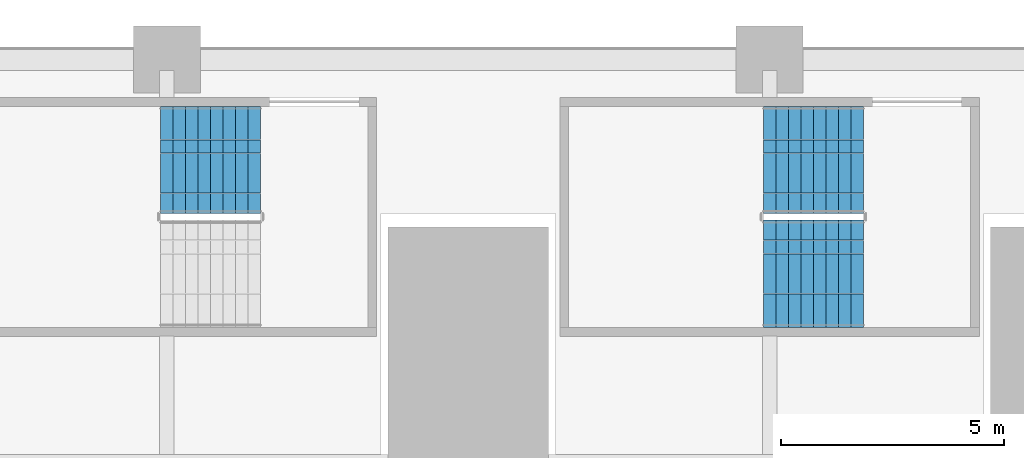
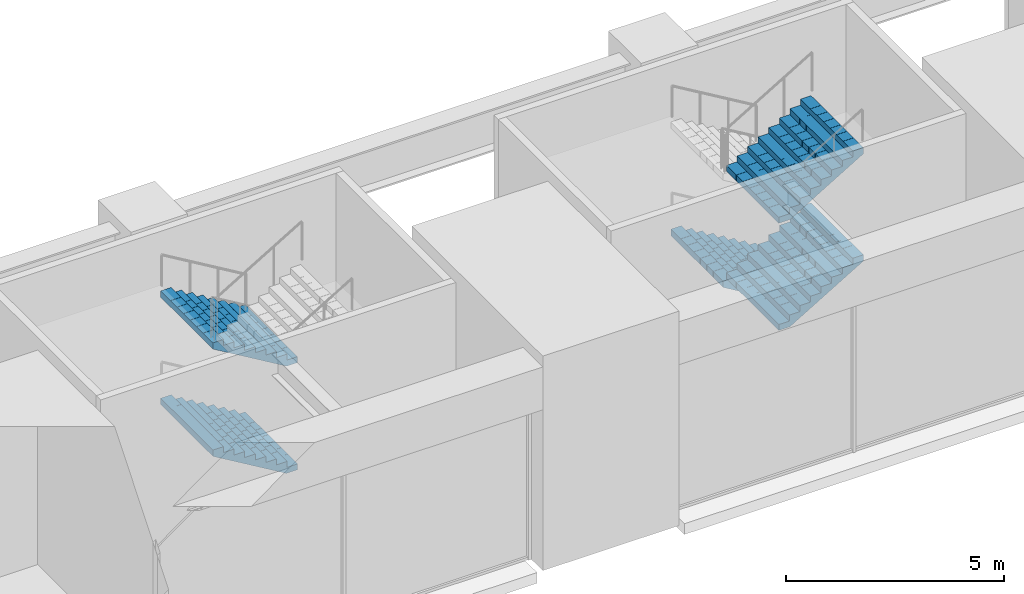
# One storey, part 23 of 43: 5 stair flights, 2 elements without a shape of their own.
"""IFC4 building model written with IfcOpenShell, lengths in metres."""

from ifc_helpers import new_model, si_unit, direction, frame, origin, place, context, subcontext, project, spatial, polyline, outline, extrude, material, type_object, element, aggregate, save


model = new_model("IFC4")

# Units and contexts
model_context = context("Model", 3, precision=1e-05, world=origin(), true_north=direction((0.0, 1.0)))
body_context = subcontext(model_context, "Body", "Model", "MODEL_VIEW")
ifc_project = project(units=[si_unit("LENGTHUNIT", "METRE"), si_unit("AREAUNIT", "SQUARE_METRE"), si_unit("VOLUMEUNIT", "CUBIC_METRE"), si_unit("PLANEANGLEUNIT", "RADIAN"), si_unit("MASSUNIT", "GRAM", prefix="KILO")], contexts=[model_context])

# Site, building, storey
site_placement = place(None, origin())
site = spatial("IfcSite", under=ifc_project, at=site_placement, CompositionType="ELEMENT")
building_placement = place(site_placement, origin())
building = spatial("IfcBuilding", under=site, at=building_placement, Name="Corbelhall Arena Tower", CompositionType="ELEMENT")
storey_placement = place(building_placement, frame((0.0, 0.0, 25.0)))
storey = spatial("IfcBuildingStorey", under=building, at=storey_placement, Name="L03", CompositionType="ELEMENT", Elevation=25.0)

# Stair, stair flights
ifc_material = material(Name="Reinforced concrete C40/50", Category="concrete")
stair_type = type_object("IfcStairType", Name="AR-EXIT-STAIR", PredefinedType="HALF_TURN_STAIR", material=ifc_material)
stair_1_placement = place(storey_placement, origin())
stair_1 = element("IfcStair", 1, at=stair_1_placement, inside=storey, type_object=stair_type, Name="L03 exit stair AS13", PredefinedType="HALF_TURN_STAIR")
stair_flight_type = type_object("IfcStairFlightType", Name="AR-EXIT-FLIGHT", PredefinedType="STRAIGHT", material=ifc_material)
stair_flight_1_placement = place(storey_placement, frame((-18.14990234375, -31.5, 0.0), z_axis=(0.0, 0.0, 1.0), x_axis=(-1.0, 0.0, 0.0)))
stair_flight_1 = element("IfcStairFlight", 2, at=stair_flight_1_placement, type_object=stair_flight_type, Name="AS13 flight 1", NumberOfRisers=9, NumberOfTreads=8, PredefinedType="STRAIGHT", RiserHeight=0.166666667, TreadLength=0.28, context=body_context, shape_type="SweptSolid", body=[
    extrude(outline(polyline([(0.0, 0.0), (0.0, 0.166748046875), (0.280029296875, 0.166748046875), (0.280029296875, 0.333251953125), (0.56005859375, 0.333251953125), (0.56005859375, 0.5), (0.840087890625, 0.5), (0.840087890625, 0.666748046875), (1.1201171875, 0.666748046875), (1.1201171875, 0.833251953125), (1.39990234375, 0.833251953125), (1.39990234375, 1.0), (1.679931640625, 1.0), (1.679931640625, 1.166748046875), (1.9599609375, 1.166748046875), (1.9599609375, 1.333251953125), (2.239990234375, 1.333251953125), (2.239990234375, 1.5), (2.239990234375, 1.158935546875), (0.29296875, 0.0), (0.0, 0.0)])), frame((0.0, 1.199951171875, 0.0), z_axis=(0.0, -1.0, 0.0), x_axis=(1.0, 0.0, 0.0)), (0.0, 0.0, 1.0), 0.449951171875),
    extrude(outline(polyline([(0.0, 0.0), (0.0, 0.166748046875), (0.280029296875, 0.166748046875), (0.280029296875, 0.333251953125), (0.56005859375, 0.333251953125), (0.56005859375, 0.5), (0.840087890625, 0.5), (0.840087890625, 0.666748046875), (1.1201171875, 0.666748046875), (1.1201171875, 0.833251953125), (1.39990234375, 0.833251953125), (1.39990234375, 1.0), (1.679931640625, 1.0), (1.679931640625, 1.166748046875), (1.9599609375, 1.166748046875), (1.9599609375, 1.333251953125), (2.239990234375, 1.333251953125), (2.239990234375, 1.5), (2.239990234375, 1.158935546875), (0.29296875, 0.0), (0.0, 0.0)])), frame((0.0, 0.745849609375, 0.0), z_axis=(0.0, -1.0, 0.0), x_axis=(1.0, 0.0, 0.0)), (0.0, 0.0, 1.0), 0.295166015625),
    extrude(outline(polyline([(0.0, 0.0), (0.0, 0.166748046875), (0.280029296875, 0.166748046875), (0.280029296875, 0.333251953125), (0.56005859375, 0.333251953125), (0.56005859375, 0.5), (0.840087890625, 0.5), (0.840087890625, 0.666748046875), (1.1201171875, 0.666748046875), (1.1201171875, 0.833251953125), (1.39990234375, 0.833251953125), (1.39990234375, 1.0), (1.679931640625, 1.0), (1.679931640625, 1.166748046875), (1.9599609375, 1.166748046875), (1.9599609375, 1.333251953125), (2.239990234375, 1.333251953125), (2.239990234375, 1.5), (2.239990234375, 1.158935546875), (0.29296875, 0.0), (0.0, 0.0)])), frame((0.0, 0.44677734375, 0.0), z_axis=(0.0, -1.0, 0.0), x_axis=(1.0, 0.0, 0.0)), (0.0, 0.0, 1.0), 0.295166015625),
    extrude(outline(polyline([(0.0, 0.0), (0.0, 0.166748046875), (0.280029296875, 0.166748046875), (0.280029296875, 0.333251953125), (0.56005859375, 0.333251953125), (0.56005859375, 0.5), (0.840087890625, 0.5), (0.840087890625, 0.666748046875), (1.1201171875, 0.666748046875), (1.1201171875, 0.833251953125), (1.39990234375, 0.833251953125), (1.39990234375, 1.0), (1.679931640625, 1.0), (1.679931640625, 1.166748046875), (1.9599609375, 1.166748046875), (1.9599609375, 1.333251953125), (2.239990234375, 1.333251953125), (2.239990234375, 1.5), (2.239990234375, 1.158935546875), (0.29296875, 0.0), (0.0, 0.0)])), frame((0.0, 0.147705078125, 0.0), z_axis=(0.0, -1.0, 0.0), x_axis=(1.0, 0.0, 0.0)), (0.0, 0.0, 1.0), 0.295166015625),
    extrude(outline(polyline([(0.0, 0.0), (0.0, 0.166748046875), (0.280029296875, 0.166748046875), (0.280029296875, 0.333251953125), (0.56005859375, 0.333251953125), (0.56005859375, 0.5), (0.840087890625, 0.5), (0.840087890625, 0.666748046875), (1.1201171875, 0.666748046875), (1.1201171875, 0.833251953125), (1.39990234375, 0.833251953125), (1.39990234375, 1.0), (1.679931640625, 1.0), (1.679931640625, 1.166748046875), (1.9599609375, 1.166748046875), (1.9599609375, 1.333251953125), (2.239990234375, 1.333251953125), (2.239990234375, 1.5), (2.239990234375, 1.158935546875), (0.29296875, 0.0), (0.0, 0.0)])), frame((0.0, -0.151611328125, 0.0), z_axis=(0.0, -1.0, 0.0), x_axis=(1.0, 0.0, 0.0)), (0.0, 0.0, 1.0), 0.295166015625),
    extrude(outline(polyline([(0.0, 0.0), (0.0, 0.166748046875), (0.280029296875, 0.166748046875), (0.280029296875, 0.333251953125), (0.56005859375, 0.333251953125), (0.56005859375, 0.5), (0.840087890625, 0.5), (0.840087890625, 0.666748046875), (1.1201171875, 0.666748046875), (1.1201171875, 0.833251953125), (1.39990234375, 0.833251953125), (1.39990234375, 1.0), (1.679931640625, 1.0), (1.679931640625, 1.166748046875), (1.9599609375, 1.166748046875), (1.9599609375, 1.333251953125), (2.239990234375, 1.333251953125), (2.239990234375, 1.5), (2.239990234375, 1.158935546875), (0.29296875, 0.0), (0.0, 0.0)])), frame((0.0, -0.45068359375, 0.0), z_axis=(0.0, -1.0, 0.0), x_axis=(1.0, 0.0, 0.0)), (0.0, 0.0, 1.0), 0.295166015625),
    extrude(outline(polyline([(0.0, 0.0), (0.0, 0.166748046875), (0.280029296875, 0.166748046875), (0.280029296875, 0.333251953125), (0.56005859375, 0.333251953125), (0.56005859375, 0.5), (0.840087890625, 0.5), (0.840087890625, 0.666748046875), (1.1201171875, 0.666748046875), (1.1201171875, 0.833251953125), (1.39990234375, 0.833251953125), (1.39990234375, 1.0), (1.679931640625, 1.0), (1.679931640625, 1.166748046875), (1.9599609375, 1.166748046875), (1.9599609375, 1.333251953125), (2.239990234375, 1.333251953125), (2.239990234375, 1.5), (2.239990234375, 1.158935546875), (0.29296875, 0.0), (0.0, 0.0)])), frame((0.0, -0.75, 0.0), z_axis=(0.0, -1.0, 0.0), x_axis=(1.0, 0.0, 0.0)), (0.0, 0.0, 1.0), 0.449951171875),
])
stair_flight_2_placement = place(storey_placement, frame((-18.14990234375, -31.5, 3.0), z_axis=(0.0, 0.0, 1.0), x_axis=(-1.0, 0.0, 0.0)))
stair_flight_2 = element("IfcStairFlight", 3, at=stair_flight_2_placement, type_object=stair_flight_type, Name="AS13 flight 3", NumberOfRisers=9, NumberOfTreads=8, PredefinedType="STRAIGHT", RiserHeight=0.166666667, TreadLength=0.28, context=body_context, shape_type="SweptSolid", body=[
    extrude(outline(polyline([(0.0, 0.0), (0.0, 0.166748046875), (0.280029296875, 0.166748046875), (0.280029296875, 0.333251953125), (0.56005859375, 0.333251953125), (0.56005859375, 0.5), (0.840087890625, 0.5), (0.840087890625, 0.666748046875), (1.1201171875, 0.666748046875), (1.1201171875, 0.833251953125), (1.39990234375, 0.833251953125), (1.39990234375, 1.0), (1.679931640625, 1.0), (1.679931640625, 1.166748046875), (1.9599609375, 1.166748046875), (1.9599609375, 1.333251953125), (2.239990234375, 1.333251953125), (2.239990234375, 1.5), (2.239990234375, 1.158935546875), (0.29296875, 0.0), (0.0, 0.0)])), frame((0.0, 1.199951171875, 0.0), z_axis=(0.0, -1.0, 0.0), x_axis=(1.0, 0.0, 0.0)), (0.0, 0.0, 1.0), 0.449951171875),
    extrude(outline(polyline([(0.0, 0.0), (0.0, 0.166748046875), (0.280029296875, 0.166748046875), (0.280029296875, 0.333251953125), (0.56005859375, 0.333251953125), (0.56005859375, 0.5), (0.840087890625, 0.5), (0.840087890625, 0.666748046875), (1.1201171875, 0.666748046875), (1.1201171875, 0.833251953125), (1.39990234375, 0.833251953125), (1.39990234375, 1.0), (1.679931640625, 1.0), (1.679931640625, 1.166748046875), (1.9599609375, 1.166748046875), (1.9599609375, 1.333251953125), (2.239990234375, 1.333251953125), (2.239990234375, 1.5), (2.239990234375, 1.158935546875), (0.29296875, 0.0), (0.0, 0.0)])), frame((0.0, 0.745849609375, 0.0), z_axis=(0.0, -1.0, 0.0), x_axis=(1.0, 0.0, 0.0)), (0.0, 0.0, 1.0), 0.295166015625),
    extrude(outline(polyline([(0.0, 0.0), (0.0, 0.166748046875), (0.280029296875, 0.166748046875), (0.280029296875, 0.333251953125), (0.56005859375, 0.333251953125), (0.56005859375, 0.5), (0.840087890625, 0.5), (0.840087890625, 0.666748046875), (1.1201171875, 0.666748046875), (1.1201171875, 0.833251953125), (1.39990234375, 0.833251953125), (1.39990234375, 1.0), (1.679931640625, 1.0), (1.679931640625, 1.166748046875), (1.9599609375, 1.166748046875), (1.9599609375, 1.333251953125), (2.239990234375, 1.333251953125), (2.239990234375, 1.5), (2.239990234375, 1.158935546875), (0.29296875, 0.0), (0.0, 0.0)])), frame((0.0, 0.44677734375, 0.0), z_axis=(0.0, -1.0, 0.0), x_axis=(1.0, 0.0, 0.0)), (0.0, 0.0, 1.0), 0.295166015625),
    extrude(outline(polyline([(0.0, 0.0), (0.0, 0.166748046875), (0.280029296875, 0.166748046875), (0.280029296875, 0.333251953125), (0.56005859375, 0.333251953125), (0.56005859375, 0.5), (0.840087890625, 0.5), (0.840087890625, 0.666748046875), (1.1201171875, 0.666748046875), (1.1201171875, 0.833251953125), (1.39990234375, 0.833251953125), (1.39990234375, 1.0), (1.679931640625, 1.0), (1.679931640625, 1.166748046875), (1.9599609375, 1.166748046875), (1.9599609375, 1.333251953125), (2.239990234375, 1.333251953125), (2.239990234375, 1.5), (2.239990234375, 1.158935546875), (0.29296875, 0.0), (0.0, 0.0)])), frame((0.0, 0.147705078125, 0.0), z_axis=(0.0, -1.0, 0.0), x_axis=(1.0, 0.0, 0.0)), (0.0, 0.0, 1.0), 0.295166015625),
    extrude(outline(polyline([(0.0, 0.0), (0.0, 0.166748046875), (0.280029296875, 0.166748046875), (0.280029296875, 0.333251953125), (0.56005859375, 0.333251953125), (0.56005859375, 0.5), (0.840087890625, 0.5), (0.840087890625, 0.666748046875), (1.1201171875, 0.666748046875), (1.1201171875, 0.833251953125), (1.39990234375, 0.833251953125), (1.39990234375, 1.0), (1.679931640625, 1.0), (1.679931640625, 1.166748046875), (1.9599609375, 1.166748046875), (1.9599609375, 1.333251953125), (2.239990234375, 1.333251953125), (2.239990234375, 1.5), (2.239990234375, 1.158935546875), (0.29296875, 0.0), (0.0, 0.0)])), frame((0.0, -0.151611328125, 0.0), z_axis=(0.0, -1.0, 0.0), x_axis=(1.0, 0.0, 0.0)), (0.0, 0.0, 1.0), 0.295166015625),
    extrude(outline(polyline([(0.0, 0.0), (0.0, 0.166748046875), (0.280029296875, 0.166748046875), (0.280029296875, 0.333251953125), (0.56005859375, 0.333251953125), (0.56005859375, 0.5), (0.840087890625, 0.5), (0.840087890625, 0.666748046875), (1.1201171875, 0.666748046875), (1.1201171875, 0.833251953125), (1.39990234375, 0.833251953125), (1.39990234375, 1.0), (1.679931640625, 1.0), (1.679931640625, 1.166748046875), (1.9599609375, 1.166748046875), (1.9599609375, 1.333251953125), (2.239990234375, 1.333251953125), (2.239990234375, 1.5), (2.239990234375, 1.158935546875), (0.29296875, 0.0), (0.0, 0.0)])), frame((0.0, -0.45068359375, 0.0), z_axis=(0.0, -1.0, 0.0), x_axis=(1.0, 0.0, 0.0)), (0.0, 0.0, 1.0), 0.295166015625),
    extrude(outline(polyline([(0.0, 0.0), (0.0, 0.166748046875), (0.280029296875, 0.166748046875), (0.280029296875, 0.333251953125), (0.56005859375, 0.333251953125), (0.56005859375, 0.5), (0.840087890625, 0.5), (0.840087890625, 0.666748046875), (1.1201171875, 0.666748046875), (1.1201171875, 0.833251953125), (1.39990234375, 0.833251953125), (1.39990234375, 1.0), (1.679931640625, 1.0), (1.679931640625, 1.166748046875), (1.9599609375, 1.166748046875), (1.9599609375, 1.333251953125), (2.239990234375, 1.333251953125), (2.239990234375, 1.5), (2.239990234375, 1.158935546875), (0.29296875, 0.0), (0.0, 0.0)])), frame((0.0, -0.75, 0.0), z_axis=(0.0, -1.0, 0.0), x_axis=(1.0, 0.0, 0.0)), (0.0, 0.0, 1.0), 0.449951171875),
])
aggregate(stair_1, [stair_flight_1, stair_flight_2])

stair_2_placement = place(storey_placement, origin())
stair_2 = element("IfcStair", 4, at=stair_2_placement, inside=storey, type_object=stair_type, Name="L03 exit stair AS14", PredefinedType="HALF_TURN_STAIR")
stair_flight_3_placement = place(storey_placement, frame((-4.64990234375, -31.5, 0.0), z_axis=(0.0, 0.0, 1.0), x_axis=(-1.0, 0.0, 0.0)))
stair_flight_3 = element("IfcStairFlight", 5, at=stair_flight_3_placement, type_object=stair_flight_type, Name="AS14 flight 1", NumberOfRisers=9, NumberOfTreads=8, PredefinedType="STRAIGHT", RiserHeight=0.166666667, TreadLength=0.28, context=body_context, shape_type="SweptSolid", body=[
    extrude(outline(polyline([(0.0, 0.0), (0.0, 0.166748046875), (0.280029296875, 0.166748046875), (0.280029296875, 0.333251953125), (0.56005859375, 0.333251953125), (0.56005859375, 0.5), (0.840087890625, 0.5), (0.840087890625, 0.666748046875), (1.1201171875, 0.666748046875), (1.1201171875, 0.833251953125), (1.39990234375, 0.833251953125), (1.39990234375, 1.0), (1.679931640625, 1.0), (1.679931640625, 1.166748046875), (1.9599609375, 1.166748046875), (1.9599609375, 1.333251953125), (2.239990234375, 1.333251953125), (2.239990234375, 1.5), (2.239990234375, 1.158935546875), (0.29296875, 0.0), (0.0, 0.0)])), frame((0.0, 1.199951171875, 0.0), z_axis=(0.0, -1.0, 0.0), x_axis=(1.0, 0.0, 0.0)), (0.0, 0.0, 1.0), 0.449951171875),
    extrude(outline(polyline([(0.0, 0.0), (0.0, 0.166748046875), (0.280029296875, 0.166748046875), (0.280029296875, 0.333251953125), (0.56005859375, 0.333251953125), (0.56005859375, 0.5), (0.840087890625, 0.5), (0.840087890625, 0.666748046875), (1.1201171875, 0.666748046875), (1.1201171875, 0.833251953125), (1.39990234375, 0.833251953125), (1.39990234375, 1.0), (1.679931640625, 1.0), (1.679931640625, 1.166748046875), (1.9599609375, 1.166748046875), (1.9599609375, 1.333251953125), (2.239990234375, 1.333251953125), (2.239990234375, 1.5), (2.239990234375, 1.158935546875), (0.29296875, 0.0), (0.0, 0.0)])), frame((0.0, 0.745849609375, 0.0), z_axis=(0.0, -1.0, 0.0), x_axis=(1.0, 0.0, 0.0)), (0.0, 0.0, 1.0), 0.295166015625),
    extrude(outline(polyline([(0.0, 0.0), (0.0, 0.166748046875), (0.280029296875, 0.166748046875), (0.280029296875, 0.333251953125), (0.56005859375, 0.333251953125), (0.56005859375, 0.5), (0.840087890625, 0.5), (0.840087890625, 0.666748046875), (1.1201171875, 0.666748046875), (1.1201171875, 0.833251953125), (1.39990234375, 0.833251953125), (1.39990234375, 1.0), (1.679931640625, 1.0), (1.679931640625, 1.166748046875), (1.9599609375, 1.166748046875), (1.9599609375, 1.333251953125), (2.239990234375, 1.333251953125), (2.239990234375, 1.5), (2.239990234375, 1.158935546875), (0.29296875, 0.0), (0.0, 0.0)])), frame((0.0, 0.44677734375, 0.0), z_axis=(0.0, -1.0, 0.0), x_axis=(1.0, 0.0, 0.0)), (0.0, 0.0, 1.0), 0.295166015625),
    extrude(outline(polyline([(0.0, 0.0), (0.0, 0.166748046875), (0.280029296875, 0.166748046875), (0.280029296875, 0.333251953125), (0.56005859375, 0.333251953125), (0.56005859375, 0.5), (0.840087890625, 0.5), (0.840087890625, 0.666748046875), (1.1201171875, 0.666748046875), (1.1201171875, 0.833251953125), (1.39990234375, 0.833251953125), (1.39990234375, 1.0), (1.679931640625, 1.0), (1.679931640625, 1.166748046875), (1.9599609375, 1.166748046875), (1.9599609375, 1.333251953125), (2.239990234375, 1.333251953125), (2.239990234375, 1.5), (2.239990234375, 1.158935546875), (0.29296875, 0.0), (0.0, 0.0)])), frame((0.0, 0.147705078125, 0.0), z_axis=(0.0, -1.0, 0.0), x_axis=(1.0, 0.0, 0.0)), (0.0, 0.0, 1.0), 0.295166015625),
    extrude(outline(polyline([(0.0, 0.0), (0.0, 0.166748046875), (0.280029296875, 0.166748046875), (0.280029296875, 0.333251953125), (0.56005859375, 0.333251953125), (0.56005859375, 0.5), (0.840087890625, 0.5), (0.840087890625, 0.666748046875), (1.1201171875, 0.666748046875), (1.1201171875, 0.833251953125), (1.39990234375, 0.833251953125), (1.39990234375, 1.0), (1.679931640625, 1.0), (1.679931640625, 1.166748046875), (1.9599609375, 1.166748046875), (1.9599609375, 1.333251953125), (2.239990234375, 1.333251953125), (2.239990234375, 1.5), (2.239990234375, 1.158935546875), (0.29296875, 0.0), (0.0, 0.0)])), frame((0.0, -0.151611328125, 0.0), z_axis=(0.0, -1.0, 0.0), x_axis=(1.0, 0.0, 0.0)), (0.0, 0.0, 1.0), 0.295166015625),
    extrude(outline(polyline([(0.0, 0.0), (0.0, 0.166748046875), (0.280029296875, 0.166748046875), (0.280029296875, 0.333251953125), (0.56005859375, 0.333251953125), (0.56005859375, 0.5), (0.840087890625, 0.5), (0.840087890625, 0.666748046875), (1.1201171875, 0.666748046875), (1.1201171875, 0.833251953125), (1.39990234375, 0.833251953125), (1.39990234375, 1.0), (1.679931640625, 1.0), (1.679931640625, 1.166748046875), (1.9599609375, 1.166748046875), (1.9599609375, 1.333251953125), (2.239990234375, 1.333251953125), (2.239990234375, 1.5), (2.239990234375, 1.158935546875), (0.29296875, 0.0), (0.0, 0.0)])), frame((0.0, -0.45068359375, 0.0), z_axis=(0.0, -1.0, 0.0), x_axis=(1.0, 0.0, 0.0)), (0.0, 0.0, 1.0), 0.295166015625),
    extrude(outline(polyline([(0.0, 0.0), (0.0, 0.166748046875), (0.280029296875, 0.166748046875), (0.280029296875, 0.333251953125), (0.56005859375, 0.333251953125), (0.56005859375, 0.5), (0.840087890625, 0.5), (0.840087890625, 0.666748046875), (1.1201171875, 0.666748046875), (1.1201171875, 0.833251953125), (1.39990234375, 0.833251953125), (1.39990234375, 1.0), (1.679931640625, 1.0), (1.679931640625, 1.166748046875), (1.9599609375, 1.166748046875), (1.9599609375, 1.333251953125), (2.239990234375, 1.333251953125), (2.239990234375, 1.5), (2.239990234375, 1.158935546875), (0.29296875, 0.0), (0.0, 0.0)])), frame((0.0, -0.75, 0.0), z_axis=(0.0, -1.0, 0.0), x_axis=(1.0, 0.0, 0.0)), (0.0, 0.0, 1.0), 0.449951171875),
])
stair_flight_4_placement = place(storey_placement, frame((-6.889892578125, -34.050048828125, 1.5), z_axis=(0.0, 0.0, 1.0), x_axis=(1.0, 0.0, 0.0)))
stair_flight_4 = element("IfcStairFlight", 6, at=stair_flight_4_placement, type_object=stair_flight_type, Name="AS14 flight 2", NumberOfRisers=9, NumberOfTreads=8, PredefinedType="STRAIGHT", RiserHeight=0.166666667, TreadLength=0.28, context=body_context, shape_type="SweptSolid", body=[
    extrude(outline(polyline([(0.0, 0.0), (0.0, 0.166748046875), (0.280029296875, 0.166748046875), (0.280029296875, 0.333251953125), (0.56005859375, 0.333251953125), (0.56005859375, 0.5), (0.840087890625, 0.5), (0.840087890625, 0.666748046875), (1.1201171875, 0.666748046875), (1.1201171875, 0.833251953125), (1.39990234375, 0.833251953125), (1.39990234375, 1.0), (1.679931640625, 1.0), (1.679931640625, 1.166748046875), (1.9599609375, 1.166748046875), (1.9599609375, 1.333251953125), (2.239990234375, 1.333251953125), (2.239990234375, 1.5), (2.239990234375, 1.158935546875), (0.29296875, 0.0), (0.0, 0.0)])), frame((0.0, 1.199951171875, 0.0), z_axis=(0.0, -1.0, 0.0), x_axis=(1.0, 0.0, 0.0)), (0.0, 0.0, 1.0), 0.449951171875),
    extrude(outline(polyline([(0.0, 0.0), (0.0, 0.166748046875), (0.280029296875, 0.166748046875), (0.280029296875, 0.333251953125), (0.56005859375, 0.333251953125), (0.56005859375, 0.5), (0.840087890625, 0.5), (0.840087890625, 0.666748046875), (1.1201171875, 0.666748046875), (1.1201171875, 0.833251953125), (1.39990234375, 0.833251953125), (1.39990234375, 1.0), (1.679931640625, 1.0), (1.679931640625, 1.166748046875), (1.9599609375, 1.166748046875), (1.9599609375, 1.333251953125), (2.239990234375, 1.333251953125), (2.239990234375, 1.5), (2.239990234375, 1.158935546875), (0.29296875, 0.0), (0.0, 0.0)])), frame((0.0, 0.745849609375, 0.0), z_axis=(0.0, -1.0, 0.0), x_axis=(1.0, 0.0, 0.0)), (0.0, 0.0, 1.0), 0.295166015625),
    extrude(outline(polyline([(0.0, 0.0), (0.0, 0.166748046875), (0.280029296875, 0.166748046875), (0.280029296875, 0.333251953125), (0.56005859375, 0.333251953125), (0.56005859375, 0.5), (0.840087890625, 0.5), (0.840087890625, 0.666748046875), (1.1201171875, 0.666748046875), (1.1201171875, 0.833251953125), (1.39990234375, 0.833251953125), (1.39990234375, 1.0), (1.679931640625, 1.0), (1.679931640625, 1.166748046875), (1.9599609375, 1.166748046875), (1.9599609375, 1.333251953125), (2.239990234375, 1.333251953125), (2.239990234375, 1.5), (2.239990234375, 1.158935546875), (0.29296875, 0.0), (0.0, 0.0)])), frame((0.0, 0.44677734375, 0.0), z_axis=(0.0, -1.0, 0.0), x_axis=(1.0, 0.0, 0.0)), (0.0, 0.0, 1.0), 0.295166015625),
    extrude(outline(polyline([(0.0, 0.0), (0.0, 0.166748046875), (0.280029296875, 0.166748046875), (0.280029296875, 0.333251953125), (0.56005859375, 0.333251953125), (0.56005859375, 0.5), (0.840087890625, 0.5), (0.840087890625, 0.666748046875), (1.1201171875, 0.666748046875), (1.1201171875, 0.833251953125), (1.39990234375, 0.833251953125), (1.39990234375, 1.0), (1.679931640625, 1.0), (1.679931640625, 1.166748046875), (1.9599609375, 1.166748046875), (1.9599609375, 1.333251953125), (2.239990234375, 1.333251953125), (2.239990234375, 1.5), (2.239990234375, 1.158935546875), (0.29296875, 0.0), (0.0, 0.0)])), frame((0.0, 0.147705078125, 0.0), z_axis=(0.0, -1.0, 0.0), x_axis=(1.0, 0.0, 0.0)), (0.0, 0.0, 1.0), 0.295166015625),
    extrude(outline(polyline([(0.0, 0.0), (0.0, 0.166748046875), (0.280029296875, 0.166748046875), (0.280029296875, 0.333251953125), (0.56005859375, 0.333251953125), (0.56005859375, 0.5), (0.840087890625, 0.5), (0.840087890625, 0.666748046875), (1.1201171875, 0.666748046875), (1.1201171875, 0.833251953125), (1.39990234375, 0.833251953125), (1.39990234375, 1.0), (1.679931640625, 1.0), (1.679931640625, 1.166748046875), (1.9599609375, 1.166748046875), (1.9599609375, 1.333251953125), (2.239990234375, 1.333251953125), (2.239990234375, 1.5), (2.239990234375, 1.158935546875), (0.29296875, 0.0), (0.0, 0.0)])), frame((0.0, -0.151611328125, 0.0), z_axis=(0.0, -1.0, 0.0), x_axis=(1.0, 0.0, 0.0)), (0.0, 0.0, 1.0), 0.295166015625),
    extrude(outline(polyline([(0.0, 0.0), (0.0, 0.166748046875), (0.280029296875, 0.166748046875), (0.280029296875, 0.333251953125), (0.56005859375, 0.333251953125), (0.56005859375, 0.5), (0.840087890625, 0.5), (0.840087890625, 0.666748046875), (1.1201171875, 0.666748046875), (1.1201171875, 0.833251953125), (1.39990234375, 0.833251953125), (1.39990234375, 1.0), (1.679931640625, 1.0), (1.679931640625, 1.166748046875), (1.9599609375, 1.166748046875), (1.9599609375, 1.333251953125), (2.239990234375, 1.333251953125), (2.239990234375, 1.5), (2.239990234375, 1.158935546875), (0.29296875, 0.0), (0.0, 0.0)])), frame((0.0, -0.45068359375, 0.0), z_axis=(0.0, -1.0, 0.0), x_axis=(1.0, 0.0, 0.0)), (0.0, 0.0, 1.0), 0.295166015625),
    extrude(outline(polyline([(0.0, 0.0), (0.0, 0.166748046875), (0.280029296875, 0.166748046875), (0.280029296875, 0.333251953125), (0.56005859375, 0.333251953125), (0.56005859375, 0.5), (0.840087890625, 0.5), (0.840087890625, 0.666748046875), (1.1201171875, 0.666748046875), (1.1201171875, 0.833251953125), (1.39990234375, 0.833251953125), (1.39990234375, 1.0), (1.679931640625, 1.0), (1.679931640625, 1.166748046875), (1.9599609375, 1.166748046875), (1.9599609375, 1.333251953125), (2.239990234375, 1.333251953125), (2.239990234375, 1.5), (2.239990234375, 1.158935546875), (0.29296875, 0.0), (0.0, 0.0)])), frame((0.0, -0.75, 0.0), z_axis=(0.0, -1.0, 0.0), x_axis=(1.0, 0.0, 0.0)), (0.0, 0.0, 1.0), 0.449951171875),
])
stair_flight_5_placement = place(storey_placement, frame((-6.889892578125, -34.050048828125, 4.5), z_axis=(0.0, 0.0, 1.0), x_axis=(1.0, 0.0, 0.0)))
stair_flight_5 = element("IfcStairFlight", 7, at=stair_flight_5_placement, type_object=stair_flight_type, Name="AS14 flight 4", NumberOfRisers=9, NumberOfTreads=8, PredefinedType="STRAIGHT", RiserHeight=0.166666667, TreadLength=0.28, context=body_context, shape_type="SweptSolid", body=[
    extrude(outline(polyline([(0.0, 0.0), (0.0, 0.166748046875), (0.280029296875, 0.166748046875), (0.280029296875, 0.333251953125), (0.56005859375, 0.333251953125), (0.56005859375, 0.5), (0.840087890625, 0.5), (0.840087890625, 0.666748046875), (1.1201171875, 0.666748046875), (1.1201171875, 0.833251953125), (1.39990234375, 0.833251953125), (1.39990234375, 1.0), (1.679931640625, 1.0), (1.679931640625, 1.166748046875), (1.9599609375, 1.166748046875), (1.9599609375, 1.333251953125), (2.239990234375, 1.333251953125), (2.239990234375, 1.5), (2.239990234375, 1.158935546875), (0.29296875, 0.0), (0.0, 0.0)])), frame((0.0, 1.199951171875, 0.0), z_axis=(0.0, -1.0, 0.0), x_axis=(1.0, 0.0, 0.0)), (0.0, 0.0, 1.0), 0.449951171875),
    extrude(outline(polyline([(0.0, 0.0), (0.0, 0.166748046875), (0.280029296875, 0.166748046875), (0.280029296875, 0.333251953125), (0.56005859375, 0.333251953125), (0.56005859375, 0.5), (0.840087890625, 0.5), (0.840087890625, 0.666748046875), (1.1201171875, 0.666748046875), (1.1201171875, 0.833251953125), (1.39990234375, 0.833251953125), (1.39990234375, 1.0), (1.679931640625, 1.0), (1.679931640625, 1.166748046875), (1.9599609375, 1.166748046875), (1.9599609375, 1.333251953125), (2.239990234375, 1.333251953125), (2.239990234375, 1.5), (2.239990234375, 1.158935546875), (0.29296875, 0.0), (0.0, 0.0)])), frame((0.0, 0.745849609375, 0.0), z_axis=(0.0, -1.0, 0.0), x_axis=(1.0, 0.0, 0.0)), (0.0, 0.0, 1.0), 0.295166015625),
    extrude(outline(polyline([(0.0, 0.0), (0.0, 0.166748046875), (0.280029296875, 0.166748046875), (0.280029296875, 0.333251953125), (0.56005859375, 0.333251953125), (0.56005859375, 0.5), (0.840087890625, 0.5), (0.840087890625, 0.666748046875), (1.1201171875, 0.666748046875), (1.1201171875, 0.833251953125), (1.39990234375, 0.833251953125), (1.39990234375, 1.0), (1.679931640625, 1.0), (1.679931640625, 1.166748046875), (1.9599609375, 1.166748046875), (1.9599609375, 1.333251953125), (2.239990234375, 1.333251953125), (2.239990234375, 1.5), (2.239990234375, 1.158935546875), (0.29296875, 0.0), (0.0, 0.0)])), frame((0.0, 0.44677734375, 0.0), z_axis=(0.0, -1.0, 0.0), x_axis=(1.0, 0.0, 0.0)), (0.0, 0.0, 1.0), 0.295166015625),
    extrude(outline(polyline([(0.0, 0.0), (0.0, 0.166748046875), (0.280029296875, 0.166748046875), (0.280029296875, 0.333251953125), (0.56005859375, 0.333251953125), (0.56005859375, 0.5), (0.840087890625, 0.5), (0.840087890625, 0.666748046875), (1.1201171875, 0.666748046875), (1.1201171875, 0.833251953125), (1.39990234375, 0.833251953125), (1.39990234375, 1.0), (1.679931640625, 1.0), (1.679931640625, 1.166748046875), (1.9599609375, 1.166748046875), (1.9599609375, 1.333251953125), (2.239990234375, 1.333251953125), (2.239990234375, 1.5), (2.239990234375, 1.158935546875), (0.29296875, 0.0), (0.0, 0.0)])), frame((0.0, 0.147705078125, 0.0), z_axis=(0.0, -1.0, 0.0), x_axis=(1.0, 0.0, 0.0)), (0.0, 0.0, 1.0), 0.295166015625),
    extrude(outline(polyline([(0.0, 0.0), (0.0, 0.166748046875), (0.280029296875, 0.166748046875), (0.280029296875, 0.333251953125), (0.56005859375, 0.333251953125), (0.56005859375, 0.5), (0.840087890625, 0.5), (0.840087890625, 0.666748046875), (1.1201171875, 0.666748046875), (1.1201171875, 0.833251953125), (1.39990234375, 0.833251953125), (1.39990234375, 1.0), (1.679931640625, 1.0), (1.679931640625, 1.166748046875), (1.9599609375, 1.166748046875), (1.9599609375, 1.333251953125), (2.239990234375, 1.333251953125), (2.239990234375, 1.5), (2.239990234375, 1.158935546875), (0.29296875, 0.0), (0.0, 0.0)])), frame((0.0, -0.151611328125, 0.0), z_axis=(0.0, -1.0, 0.0), x_axis=(1.0, 0.0, 0.0)), (0.0, 0.0, 1.0), 0.295166015625),
    extrude(outline(polyline([(0.0, 0.0), (0.0, 0.166748046875), (0.280029296875, 0.166748046875), (0.280029296875, 0.333251953125), (0.56005859375, 0.333251953125), (0.56005859375, 0.5), (0.840087890625, 0.5), (0.840087890625, 0.666748046875), (1.1201171875, 0.666748046875), (1.1201171875, 0.833251953125), (1.39990234375, 0.833251953125), (1.39990234375, 1.0), (1.679931640625, 1.0), (1.679931640625, 1.166748046875), (1.9599609375, 1.166748046875), (1.9599609375, 1.333251953125), (2.239990234375, 1.333251953125), (2.239990234375, 1.5), (2.239990234375, 1.158935546875), (0.29296875, 0.0), (0.0, 0.0)])), frame((0.0, -0.45068359375, 0.0), z_axis=(0.0, -1.0, 0.0), x_axis=(1.0, 0.0, 0.0)), (0.0, 0.0, 1.0), 0.295166015625),
    extrude(outline(polyline([(0.0, 0.0), (0.0, 0.166748046875), (0.280029296875, 0.166748046875), (0.280029296875, 0.333251953125), (0.56005859375, 0.333251953125), (0.56005859375, 0.5), (0.840087890625, 0.5), (0.840087890625, 0.666748046875), (1.1201171875, 0.666748046875), (1.1201171875, 0.833251953125), (1.39990234375, 0.833251953125), (1.39990234375, 1.0), (1.679931640625, 1.0), (1.679931640625, 1.166748046875), (1.9599609375, 1.166748046875), (1.9599609375, 1.333251953125), (2.239990234375, 1.333251953125), (2.239990234375, 1.5), (2.239990234375, 1.158935546875), (0.29296875, 0.0), (0.0, 0.0)])), frame((0.0, -0.75, 0.0), z_axis=(0.0, -1.0, 0.0), x_axis=(1.0, 0.0, 0.0)), (0.0, 0.0, 1.0), 0.449951171875),
])
aggregate(stair_2, [stair_flight_3, stair_flight_4, stair_flight_5])

save(model, "model.ifc")
